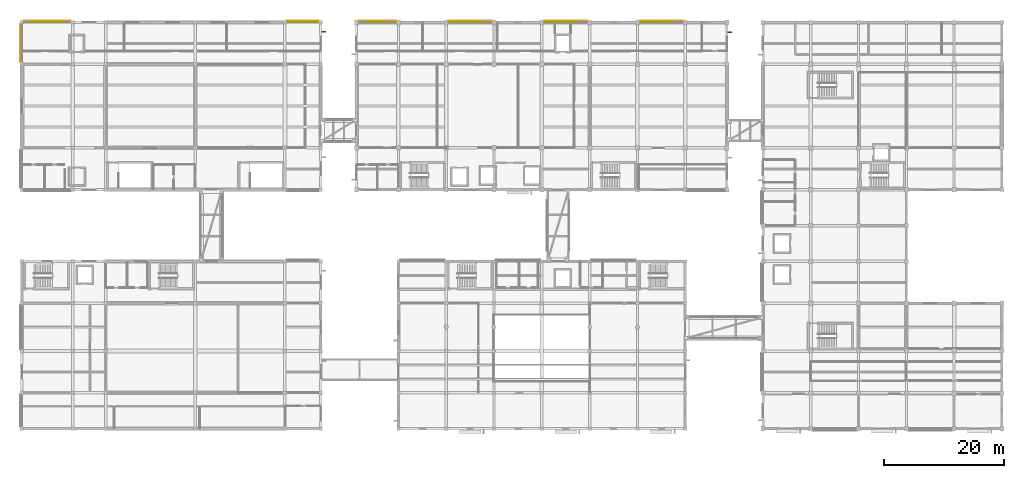
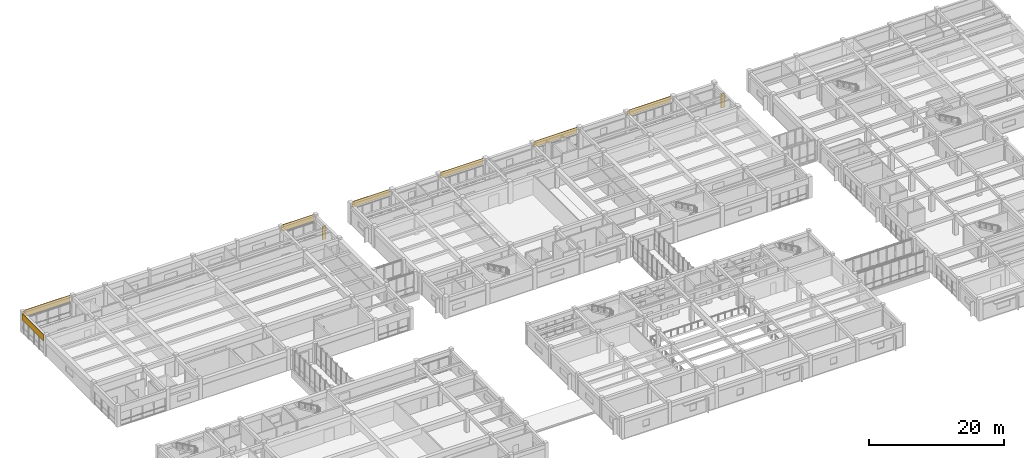
# One storey, part 64 of 66: 7 coverings, 2 shading devices.
"""IFC4 building model written with IfcOpenShell, lengths in metres."""

from ifc_helpers import new_model, si_unit, direction, frame, origin, origin_2d, place, context, subcontext, project, spatial, rectangle, extrude, material, layer, layer_set, type_object, element, save


model = new_model("IFC4")

# Units and contexts
model_context = context("Model", 3, precision=1e-05, world=origin(), true_north=direction((0.0, 1.0)))
body_context = subcontext(model_context, "Body", "Model", "MODEL_VIEW")
ifc_project = project(units=[si_unit("LENGTHUNIT", "METRE"), si_unit("AREAUNIT", "SQUARE_METRE"), si_unit("VOLUMEUNIT", "CUBIC_METRE"), si_unit("PLANEANGLEUNIT", "RADIAN"), si_unit("MASSUNIT", "GRAM", prefix="KILO")], contexts=[model_context])

# Site, building, storey
site_placement = place(None, origin())
site = spatial("IfcSite", under=ifc_project, at=site_placement, CompositionType="ELEMENT")
building_placement = place(site_placement, origin())
building = spatial("IfcBuilding", under=site, at=building_placement, Name="Naurynzar Civic Courthouse", CompositionType="ELEMENT")
storey_placement = place(building_placement, frame((0.0, 0.0, 14.39990234375)))
storey = spatial("IfcBuildingStorey", under=building, at=storey_placement, Name="L04", CompositionType="ELEMENT", Elevation=14.39990234375)

# Coverings
ifc_material_1 = material(Name="Precast concrete C40/50", Category="concrete")
ifc_layer = layer(ifc_material_1, 0.080078125)
ifc_layer_set = layer_set([ifc_layer], Name="COV-CLAD-PRECAST-80")
covering_type = type_object("IfcCoveringType", Name="COV-CLAD-PRECAST-80", PredefinedType="CLADDING", material=ifc_layer_set)
covering_1_placement = place(storey_placement, frame((5.7451171875, 68.5, 2.4599609375), z_axis=(0.0, 0.0, 1.0), x_axis=(0.0, 1.0, 0.0)))
element("IfcCovering", 1, at=covering_1_placement, inside=storey, type_object=covering_type, Name="V1 precast spandrel cladding 14", PredefinedType="CLADDING", context=body_context, shape_type="SweptSolid", body=[
    extrude(rectangle(XDim=6.39990234375, YDim=0.080078125, at=origin_2d()), origin(), (0.0, 0.0, 1.0), 1.159912109375),
])
covering_2_placement = place(storey_placement, frame((10.25, 72.2548828125, 2.4599609375), z_axis=(0.0, 0.0, 1.0), x_axis=(1.0, 0.0, 0.0)))
element("IfcCovering", 2, at=covering_2_placement, inside=storey, type_object=covering_type, Name="V1 precast spandrel cladding 15", PredefinedType="CLADDING", context=body_context, shape_type="SweptSolid", body=[
    extrude(rectangle(XDim=7.89990234375, YDim=0.080078125, at=origin_2d()), origin(), (0.0, 0.0, 1.0), 1.159912109375),
])
covering_3_placement = place(storey_placement, frame((53.0, 72.2548828125, 2.4599609375), z_axis=(0.0, 0.0, 1.0), x_axis=(1.0, 0.0, 0.0)))
element("IfcCovering", 3, at=covering_3_placement, inside=storey, type_object=covering_type, Name="V1 precast spandrel cladding 16", PredefinedType="CLADDING", context=body_context, shape_type="SweptSolid", body=[
    extrude(rectangle(XDim=5.39990234375, YDim=0.080078125, at=origin_2d()), origin(), (0.0, 0.0, 1.0), 1.159912109375),
])
covering_4_placement = place(storey_placement, frame((65.5, 72.2548828125, 2.60986328125), z_axis=(0.0, 0.0, 1.0), x_axis=(1.0, 0.0, 0.0)))
element("IfcCovering", 4, at=covering_4_placement, inside=storey, type_object=covering_type, Name="V2 precast spandrel cladding 31", PredefinedType="CLADDING", context=body_context, shape_type="SweptSolid", body=[
    extrude(rectangle(XDim=6.35009765625, YDim=0.080078125, at=origin_2d()), origin(), (0.0, 0.0, 1.0), 1.010009765625),
])
for number, where, z_axis, x_axis, name in (
    (5, (81.0, 72.2548828125, 2.60986328125), (0.0, 0.0, 1.0), (1.0, 0.0, 0.0), "V2 precast spandrel cladding 32"),
    (6, (97.0, 72.2548828125, 2.60986328125), (0.0, 0.0, 1.0), (1.0, 0.0, 0.0), "V2 precast spandrel cladding 33"),
    (7, (113.0, 72.2548828125, 2.60986328125), (0.0, 0.0, 1.0), (1.0, 0.0, 0.0), "V2 precast spandrel cladding 34"),
):
    element("IfcCovering", number, at=place(storey_placement, frame(where, z_axis=z_axis, x_axis=x_axis)), inside=storey, type_object=covering_type, Name=name, PredefinedType="CLADDING", context=body_context, shape_type="SweptSolid", body=[
        extrude(rectangle(XDim=7.35009765625, YDim=0.080078125, at=origin_2d()), origin(), (0.0, 0.0, 1.0), 1.010009765625),
    ])

# Shading devices
ifc_material_2 = material(Name="Precast concrete C40/50", Category="concrete")
shading_device_type = type_object("IfcShadingDeviceType", Name="SHD-FIN-V650", PredefinedType="JALOUSIE", material=ifc_material_2)
shading_device_1_placement = place(storey_placement, frame((56.47998046875, 70.419921875, 0.0400390625), z_axis=(0.0, 0.0, 1.0), x_axis=(0.0, -1.0, 0.0)))
element("IfcShadingDevice", 8, at=shading_device_1_placement, inside=storey, type_object=shading_device_type, Name="V1 vertical brise-soleil fin 5", PredefinedType="JALOUSIE", context=body_context, shape_type="SweptSolid", body=[
    extrude(rectangle(XDim=0.179931640625, YDim=0.64990234375, at=origin_2d()), origin(), (0.0, 0.0, 1.0), 2.3798828125),
])
shading_device_2_placement = place(storey_placement, frame((124.469970703125, 70.360107421875, 0.0400390625), z_axis=(0.0, 0.0, 1.0), x_axis=(0.0, -1.0, 0.0)))
element("IfcShadingDevice", 9, at=shading_device_2_placement, inside=storey, type_object=shading_device_type, Name="V2 vertical brise-soleil fin 20", PredefinedType="JALOUSIE", context=body_context, shape_type="SweptSolid", body=[
    extrude(rectangle(XDim=0.179931640625, YDim=0.64990234375, at=origin_2d()), origin(), (0.0, 0.0, 1.0), 2.530029296875),
])

save(model, "model.ifc")
